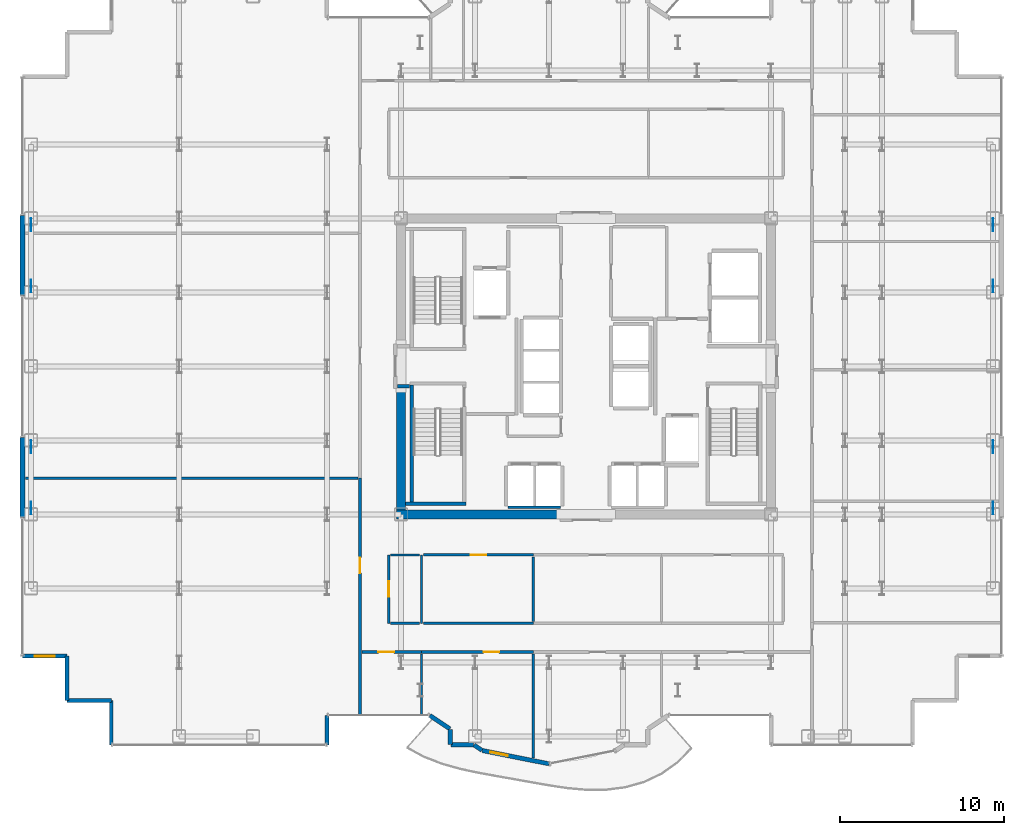
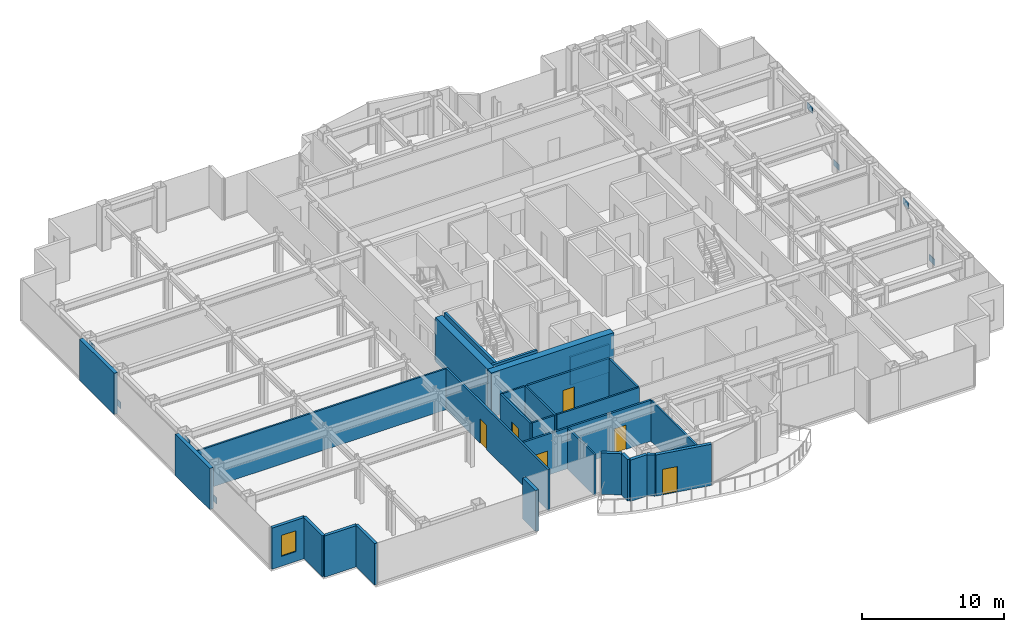
# One storey, part 18 of 25: 31 walls, 8 plates, 6 doors, 1 window, 7 openings.
"""IFC4 building model written with IfcOpenShell, lengths in metres."""

from ifc_helpers import new_model, si_unit, direction, frame, frame_2d, origin, origin_2d, place, context, subcontext, project, spatial, rectangle, extrude, source, transform, mapped, material, layer, layer_set, type_object, element, fill, save


model = new_model("IFC4")

# Units and contexts
model_context = context("Model", 3, precision=1e-05, world=origin(), true_north=direction((0.0, 1.0)))
body_context = subcontext(model_context, "Body", "Model", "MODEL_VIEW")
ifc_project = project(units=[si_unit("LENGTHUNIT", "METRE"), si_unit("AREAUNIT", "SQUARE_METRE"), si_unit("VOLUMEUNIT", "CUBIC_METRE"), si_unit("PLANEANGLEUNIT", "RADIAN"), si_unit("MASSUNIT", "GRAM", prefix="KILO")], contexts=[model_context])

# Site, building, storey
site_placement = place(None, origin())
site = spatial("IfcSite", under=ifc_project, at=site_placement, CompositionType="ELEMENT")
building_placement = place(site_placement, origin())
building = spatial("IfcBuilding", under=site, at=building_placement, Name="Nefas-Gora Pilgrimage Tower", CompositionType="ELEMENT")
storey_placement = place(building_placement, frame((0.0, 0.0, 194.39990234375)))
storey = spatial("IfcBuildingStorey", under=building, at=storey_placement, Name="L48", CompositionType="ELEMENT", Elevation=194.39990234375)

# Plates
ifc_material_1 = material(Name="Steel S460", Category="steel")
ifc_layer_1 = layer(ifc_material_1, 0.050048828125)
ifc_layer_set_1 = layer_set([ifc_layer_1], Name="Steel S460")
plate_type = type_object("IfcPlateType", Name="PLT-NODE-N08", PredefinedType="USERDEFINED", material=ifc_layer_set_1)
shared_shape_1 = source(origin(), body_context, "Body", "SweptSolid", [
    extrude(rectangle(XDim=0.780029296875, YDim=0.0380859375, at=origin_2d()), origin(), (0.0, 0.0, 1.0), 0.5400390625),
])
for number, where, z_axis, x_axis, name in (
    (1, (-33.75, -8.612060546875, 0.15771484375), (0.0, 0.0, 1.0), (0.0, 1.0, 0.0), "Structural Node Gusset Plate N08 (L48)"),
    (2, (-33.75, -4.887939453125, 2.822509765625), (0.0, 0.0, 1.0), (0.0, 1.0, 0.0), "Structural Node Gusset Plate N08 (L48)"),
    (3, (-33.75, 4.887939453125, 0.15771484375), (0.0, 0.0, 1.0), (0.0, 1.0, 0.0), "Structural Node Gusset Plate N08 (L48)"),
    (4, (-33.75, 8.612060546875, 2.822509765625), (0.0, 0.0, 1.0), (0.0, 1.0, 0.0), "Structural Node Gusset Plate N08 (L48)"),
    (5, (24.75, -8.612060546875, 0.15771484375), (0.0, 0.0, 1.0), (0.0, 1.0, 0.0), "Structural Node Gusset Plate N08 (L48)"),
    (6, (24.75, -4.887939453125, 2.822509765625), (0.0, 0.0, 1.0), (0.0, 1.0, 0.0), "Structural Node Gusset Plate N08 (L48)"),
    (7, (24.75, 4.887939453125, 0.15771484375), (0.0, 0.0, 1.0), (0.0, 1.0, 0.0), "Structural Node Gusset Plate N08 (L48)"),
    (8, (24.75, 8.612060546875, 2.822509765625), (0.0, 0.0, 1.0), (0.0, 1.0, 0.0), "Structural Node Gusset Plate N08 (L48)"),
):
    element("IfcPlate", number, at=place(storey_placement, frame(where, z_axis=z_axis, x_axis=x_axis)), inside=storey, type_object=plate_type, Name=name, ObjectType="GUSSET_PLATE", PredefinedType="USERDEFINED", context=body_context, shape_type="MappedRepresentation", body=[
        mapped(shared_shape_1, transform((0.0, 0.0, 0.0), x_axis=(1.0, 0.0, 0.0), y_axis=(0.0, 1.0, 0.0), z_axis=(0.0, 0.0, 1.0), scale=1.0)),
    ])

# Walls
ifc_material_2 = material(Name="Concrete C60/75", Category="concrete")
ifc_layer_2 = layer(ifc_material_2, 0.550048828125)
ifc_layer_set_2 = layer_set([ifc_layer_2], Name="Concrete C60/75")
wall_type_1 = type_object("IfcWallType", Name="SW-CORE-550", PredefinedType="SHEAR", material=ifc_layer_set_2)
shared_shape_2 = source(origin(), body_context, "Body", "SweptSolid", [
    extrude(rectangle(XDim=9.974853515625, YDim=0.550048828125, at=frame_2d((4.9873046875, 0.0))), origin(), (0.0, 0.0, 1.0), 3.800048828125),
])
wall_1_placement = place(storey_placement, frame((-11.52490234375, -9.0, 0.0), z_axis=(0.0, 0.0, 1.0), x_axis=(1.0, 0.0, 0.0)))
element("IfcWall", 9, at=wall_1_placement, inside=storey, type_object=wall_type_1, Name="L48 Core Shear Wall S-West", PredefinedType="SHEAR", context=body_context, shape_type="MappedRepresentation", body=[
    mapped(shared_shape_2, transform((0.0, 0.0, 0.0), x_axis=(1.0, 0.0, 0.0), y_axis=(0.0, 1.0, 0.0), z_axis=(0.0, 0.0, 1.0), scale=1.0)),
])
shared_shape_3 = source(origin(), body_context, "Body", "SweptSolid", [
    extrude(rectangle(XDim=7.375, YDim=0.550048828125, at=frame_2d((3.6875, 0.0))), origin(), (0.0, 0.0, 1.0), 3.800048828125),
])
wall_2_placement = place(storey_placement, frame((-11.25, -8.72509765625, 0.0), z_axis=(0.0, 0.0, 1.0), x_axis=(0.0, 1.0, 0.0)))
element("IfcWall", 10, at=wall_2_placement, inside=storey, type_object=wall_type_1, Name="L48 Core Shear Wall W-South", PredefinedType="SHEAR", context=body_context, shape_type="MappedRepresentation", body=[
    mapped(shared_shape_3, transform((0.0, 0.0, 0.0), x_axis=(1.0, 0.0, 0.0), y_axis=(0.0, 1.0, 0.0), z_axis=(0.0, 0.0, 1.0), scale=1.0)),
])
ifc_material_3 = material(Name="Precast concrete C45/55", Category="concrete")
ifc_layer_3 = layer(ifc_material_3, 0.239990234375)
ifc_layer_set_3 = layer_set([ifc_layer_3], Name="Precast concrete C45/55")
wall_type_2 = type_object("IfcWallType", Name="EW-SERR-240", PredefinedType="SHEAR", material=ifc_layer_set_3)
shared_shape_4 = source(origin(), body_context, "Body", "SweptSolid", [
    extrude(rectangle(XDim=4.8798828125, YDim=0.300048828125, at=frame_2d((2.43994140625, 0.0))), origin(), (0.0, 0.0, 1.0), 3.550048828125),
])
for number, where, z_axis, x_axis, name in (
    (11, (-34.27001953125, -9.18994140625, 0.0), (0.0, 0.0, 1.0), (0.0, 1.0, 0.0), "L48 Braced-Tube Precast Shear Cladding 1"),
    (12, (-34.27001953125, 4.31005859375, 0.0), (0.0, 0.0, 1.0), (0.0, 1.0, 0.0), "L48 Braced-Tube Precast Shear Cladding 2"),
):
    element("IfcWall", number, at=place(storey_placement, frame(where, z_axis=z_axis, x_axis=x_axis)), inside=storey, type_object=wall_type_2, Name=name, PredefinedType="SHEAR", context=body_context, shape_type="MappedRepresentation", body=[
        mapped(shared_shape_4, transform((0.0, 0.0, 0.0), x_axis=(1.0, 0.0, 0.0), y_axis=(0.0, 1.0, 0.0), z_axis=(0.0, 0.0, 1.0), scale=1.0)),
    ])
ifc_material_4 = material(Name="Precast concrete C40/50", Category="concrete")
ifc_layer_4 = layer(ifc_material_4, 0.260009765625)
ifc_layer_set_4 = layer_set([ifc_layer_4], Name="Precast concrete C40/50")
wall_type_3 = type_object("IfcWallType", Name="EW-PORTAL-260", PredefinedType="SOLIDWALL", material=ifc_layer_set_4)
shared_shape_5 = source(origin(), body_context, "Body", "SweptSolid", [
    extrude(rectangle(XDim=1.800048828125, YDim=0.260009765625, at=frame_2d((0.89990234375, 0.0))), origin(), (0.0, 0.0, 1.0), 3.550048828125),
])
wall_3_placement = place(storey_placement, frame((-15.75, -23.02001953125, 0.0), z_axis=(0.0, 0.0, 1.0), x_axis=(0.0, 1.0, 0.0)))
element("IfcWall", 13, at=wall_3_placement, inside=storey, type_object=wall_type_3, Name="L48 Lobe Shoulder Precast Spandrel Pier 33", PredefinedType="SOLIDWALL", context=body_context, shape_type="MappedRepresentation", body=[
    mapped(shared_shape_5, transform((0.0, 0.0, 0.0), x_axis=(1.0, 0.0, 0.0), y_axis=(0.0, 1.0, 0.0), z_axis=(0.0, 0.0, 1.0), scale=1.0)),
])

# Wall, opening, window
shared_shape_6 = source(origin(), body_context, "Body", "SweptSolid", [
    extrude(rectangle(XDim=2.699951171875, YDim=0.239990234375, at=frame_2d((1.35009765625, 0.0))), origin(), (0.0, 0.0, 1.0), 3.550048828125),
])
wall_4_placement = place(storey_placement, frame((-34.27001953125, -17.6201171875, 0.0), z_axis=(0.0, 0.0, 1.0), x_axis=(1.0, 0.0, 0.0)))
wall_4 = element("IfcWall", 14, at=wall_4_placement, inside=storey, type_object=wall_type_2, Name="L48 Serrated Corner Shear Pier Wall 29", PredefinedType="SHEAR", context=body_context, shape_type="MappedRepresentation", body=[
    mapped(shared_shape_6, transform((0.0, 0.0, 0.0), x_axis=(1.0, 0.0, 0.0), y_axis=(0.0, 1.0, 0.0), z_axis=(0.0, 0.0, 1.0), scale=1.0)),
])
opening_1_placement = place(wall_4_placement, frame((0.75, 0.0, 0.85009765625)))
opening_1 = element("IfcOpeningElement", 15, at=opening_1_placement, cuts=wall_4, Name="Opening W-V1", PredefinedType="OPENING", context=body_context, shape_type="SweptSolid", body=[
    extrude(rectangle(XDim=1.199951171875, YDim=1.800048828125, at=frame_2d((0.60009765625, 0.89990234375))), frame((0.0, 0.1298828125, 0.0), z_axis=(0.0, -1.0, 0.0), x_axis=(1.0, 0.0, 0.0)), (0.0, 0.0, 1.0), 0.260009765625),
])
ifc_material_5 = material(Name="Dark ceramic-fritted operable aluminium-glass window", Category="aluminium")
window_type = type_object("IfcWindowType", Name="WIN-VENT-1200x1800", PartitioningType="SINGLE_PANEL", PredefinedType="WINDOW", material=ifc_material_5)
shared_shape_7 = source(origin(), body_context, "Body", "SweptSolid", [
    extrude(rectangle(XDim=1.199951171875, YDim=1.800048828125, at=frame_2d((0.60009765625, 0.89990234375))), frame((0.0, 0.030029296875, 0.0), z_axis=(0.0, -1.0, 0.0), x_axis=(1.0, 0.0, 0.0)), (0.0, 0.0, 1.0), 0.06005859375),
])
window_placement = place(opening_1_placement, origin())
window = element("IfcWindow", 16, at=window_placement, inside=storey, type_object=window_type, Name="L48 Operable Parallel-Outswing Window 29", OverallHeight=1.800048828125, OverallWidth=1.199951171875, PartitioningType="SINGLE_PANEL", PredefinedType="WINDOW", context=body_context, shape_type="MappedRepresentation", body=[
    mapped(shared_shape_7, transform((0.0, 0.0, 0.0), x_axis=(1.0, 0.0, 0.0), y_axis=(0.0, 1.0, 0.0), z_axis=(0.0, 0.0, 1.0), scale=1.0)),
])
fill(opening_1, window)

# Walls
for number, where, z_axis, x_axis, name in (
    (17, (-31.570068359375, -17.6201171875, 0.0), (0.0, 0.0, 1.0), (0.0, -1.0, 0.0), "L48 Serrated Corner Shear Pier Wall 30"),
    (18, (-31.570068359375, -20.320068359375, 0.0), (0.0, 0.0, 1.0), (1.0, 0.0, 0.0), "L48 Serrated Corner Shear Pier Wall 31"),
    (19, (-28.8701171875, -20.320068359375, 0.0), (0.0, 0.0, 1.0), (0.0, -1.0, 0.0), "L48 Serrated Corner Shear Pier Wall 32"),
):
    element("IfcWall", number, at=place(storey_placement, frame(where, z_axis=z_axis, x_axis=x_axis)), inside=storey, type_object=wall_type_2, Name=name, PredefinedType="SHEAR", context=body_context, shape_type="MappedRepresentation", body=[
        mapped(shared_shape_6, transform((0.0, 0.0, 0.0), x_axis=(1.0, 0.0, 0.0), y_axis=(0.0, 1.0, 0.0), z_axis=(0.0, 0.0, 1.0), scale=1.0)),
    ])
shared_shape_8 = source(origin(), body_context, "Body", "SweptSolid", [
    extrude(rectangle(XDim=1.468994140625, YDim=0.260009765625, at=frame_2d((0.734375, 0.0))), origin(), (0.0, 0.0, 1.0), 3.550048828125),
])
wall_5_placement = place(storey_placement, frame((-9.49462890625, -21.235595703125, 0.0), z_axis=(0.0, 0.0, 1.0), x_axis=(0.831461760506, -0.555581983884, 0.0)))
element("IfcWall", 20, at=wall_5_placement, inside=storey, type_object=wall_type_3, Name="L48 Lobe Shoulder Precast Spandrel Pier 34", PredefinedType="SOLIDWALL", context=body_context, shape_type="MappedRepresentation", body=[
    mapped(shared_shape_8, transform((0.0, 0.0, 0.0), x_axis=(1.0, 0.0, 0.0), y_axis=(0.0, 1.0, 0.0), z_axis=(0.0, 0.0, 1.0), scale=1.0)),
])
shared_shape_9 = source(origin(), body_context, "Body", "SweptSolid", [
    extrude(rectangle(XDim=0.896728515625, YDim=0.260009765625, at=frame_2d((0.4482421875, 0.0))), origin(), (0.0, 0.0, 1.0), 3.550048828125),
])
wall_6_placement = place(storey_placement, frame((-8.25, -22.09521484375, 0.0), z_axis=(0.0, 0.0, 1.0), x_axis=(0.0, -1.0, 0.0)))
element("IfcWall", 21, at=wall_6_placement, inside=storey, type_object=wall_type_3, Name="L48 Lobe Shoulder Precast Spandrel Pier 35", PredefinedType="SOLIDWALL", context=body_context, shape_type="MappedRepresentation", body=[
    mapped(shared_shape_9, transform((0.0, 0.0, 0.0), x_axis=(1.0, 0.0, 0.0), y_axis=(0.0, 1.0, 0.0), z_axis=(0.0, 0.0, 1.0), scale=1.0)),
])
shared_shape_10 = source(origin(), body_context, "Body", "SweptSolid", [
    extrude(rectangle(XDim=1.369873046875, YDim=0.260009765625, at=frame_2d((0.68505859375, 0.0))), origin(), (0.0, 0.0, 1.0), 3.550048828125),
])
wall_7_placement = place(storey_placement, frame((-8.221923828125, -23.02001953125, 0.0), z_axis=(0.0, 0.0, 1.0), x_axis=(1.0, 0.0, 0.0)))
element("IfcWall", 22, at=wall_7_placement, inside=storey, type_object=wall_type_3, Name="L48 Lobe Shoulder Precast Spandrel Pier 36", PredefinedType="SOLIDWALL", context=body_context, shape_type="MappedRepresentation", body=[
    mapped(shared_shape_10, transform((0.0, 0.0, 0.0), x_axis=(1.0, 0.0, 0.0), y_axis=(0.0, 1.0, 0.0), z_axis=(0.0, 0.0, 1.0), scale=1.0)),
])
shared_shape_11 = source(origin(), body_context, "Body", "SweptSolid", [
    extrude(rectangle(XDim=0.5654296875, YDim=0.260009765625, at=frame_2d((0.28271484375, 0.0))), origin(), (0.0, 0.0, 1.0), 3.550048828125),
])
wall_8_placement = place(storey_placement, frame((-6.80078125, -23.03564453125, 0.0), z_axis=(0.0, 0.0, 1.0), x_axis=(0.831651492666, -0.555297933317, 0.0)))
element("IfcWall", 23, at=wall_8_placement, inside=storey, type_object=wall_type_3, Name="L48 Lobe Shoulder Precast Spandrel Pier 37", PredefinedType="SOLIDWALL", context=body_context, shape_type="MappedRepresentation", body=[
    mapped(shared_shape_11, transform((0.0, 0.0, 0.0), x_axis=(1.0, 0.0, 0.0), y_axis=(0.0, 1.0, 0.0), z_axis=(0.0, 0.0, 1.0), scale=1.0)),
])

# Wall, opening, door
shared_shape_12 = source(origin(), body_context, "Body", "SweptSolid", [
    extrude(rectangle(XDim=4.136962890625, YDim=0.260009765625, at=frame_2d((2.068359375, 0.0))), origin(), (0.0, 0.0, 1.0), 3.550048828125),
])
wall_9_placement = place(storey_placement, frame((-6.307373046875, -23.365234375, 0.0), z_axis=(0.0, 0.0, 1.0), x_axis=(0.980782170794, -0.195105954428, 0.0)))
wall_9 = element("IfcWall", 24, at=wall_9_placement, inside=storey, type_object=wall_type_3, Name="L48 Insulated Terrace Portal Wall 38", PredefinedType="SOLIDWALL", context=body_context, shape_type="MappedRepresentation", body=[
    mapped(shared_shape_12, transform((0.0, 0.0, 0.0), x_axis=(1.0, 0.0, 0.0), y_axis=(0.0, 1.0, 0.0), z_axis=(0.0, 0.0, 1.0), scale=1.0)),
])
opening_2_placement = place(wall_9_placement, frame((0.48779296875, 0.0, 0.0)))
opening_2 = element("IfcOpeningElement", 25, at=opening_2_placement, cuts=wall_9, Name="Opening ED-B1", PredefinedType="OPENING", context=body_context, shape_type="SweptSolid", body=[
    extrude(rectangle(XDim=1.10009765625, YDim=2.199951171875, at=frame_2d((0.550048828125, 1.10009765625))), frame((0.0, 0.139892578125, 0.0), z_axis=(0.0, -1.0, 0.0), x_axis=(1.0, 0.0, 0.0)), (0.0, 0.0, 1.0), 0.280029296875),
])
ifc_material_6 = material(Name="Thermally broken glazed aluminium balcony door", Category="aluminium")
door_type_1 = type_object("IfcDoorType", Name="DR-EXT-BAL-1100", OperationType="NOTDEFINED", PredefinedType="DOOR", material=ifc_material_6)
shared_shape_13 = source(origin(), body_context, "Body", "SweptSolid", [
    extrude(rectangle(XDim=1.10009765625, YDim=2.199951171875, at=frame_2d((0.550048828125, 1.10009765625))), frame((0.0, 0.02490234375, 0.0), z_axis=(0.0, -1.0, 0.0), x_axis=(1.0, 0.0, 0.0)), (0.0, 0.0, 1.0), 0.050048828125),
])
door_1_placement = place(opening_2_placement, origin())
door_1 = element("IfcDoor", 26, at=door_1_placement, inside=storey, type_object=door_type_1, Name="L48 Exterior Door (L48 S Lobe Wave Balcony)", OperationType="SINGLE_SWING_LEFT", OverallHeight=2.199951171875, OverallWidth=1.10009765625, PredefinedType="DOOR", context=body_context, shape_type="MappedRepresentation", body=[
    mapped(shared_shape_13, transform((0.0, 0.0, 0.0), x_axis=(1.0, 0.0, 0.0), y_axis=(0.0, 1.0, 0.0), z_axis=(0.0, 0.0, 1.0), scale=1.0)),
])
fill(opening_2, door_1)

# Walls
ifc_material_7 = material(Name="Concrete C45/55", Category="concrete")
ifc_layer_5 = layer(ifc_material_7, 0.199951171875)
ifc_layer_set_5 = layer_set([ifc_layer_5], Name="Concrete C45/55")
wall_type_4 = type_object("IfcWallType", Name="IW-STAIR-200", PredefinedType="SOLIDWALL", material=ifc_layer_set_5)
shared_shape_14 = source(origin(), body_context, "Body", "SweptSolid", [
    extrude(rectangle(XDim=7.10009765625, YDim=0.199951171875, at=frame_2d((3.550048828125, 0.0))), origin(), (0.0, 0.0, 1.0), 3.800048828125),
])
wall_10_placement = place(storey_placement, frame((-10.60009765625, -1.14990234375, 0.0), z_axis=(0.0, 0.0, 1.0), x_axis=(0.0, -1.0, 0.0)))
element("IfcWall", 27, at=wall_10_placement, inside=storey, type_object=wall_type_4, Name="L48 Stairwell Shear Wall ST-03-left", PredefinedType="SOLIDWALL", context=body_context, shape_type="MappedRepresentation", body=[
    mapped(shared_shape_14, transform((0.0, 0.0, 0.0), x_axis=(1.0, 0.0, 0.0), y_axis=(0.0, 1.0, 0.0), z_axis=(0.0, 0.0, 1.0), scale=1.0)),
])
shared_shape_15 = source(origin(), body_context, "Body", "SweptSolid", [
    extrude(rectangle(XDim=3.679931640625, YDim=0.199951171875, at=frame_2d((1.83984375, 0.0))), origin(), (0.0, 0.0, 1.0), 3.800048828125),
])
wall_11_placement = place(storey_placement, frame((-10.97998046875, -8.35009765625, 0.0), z_axis=(0.0, 0.0, 1.0), x_axis=(1.0, 0.0, 0.0)))
element("IfcWall", 28, at=wall_11_placement, inside=storey, type_object=wall_type_4, Name="L48 Stairwell Shear Wall ST-03-far", PredefinedType="SOLIDWALL", context=body_context, shape_type="MappedRepresentation", body=[
    mapped(shared_shape_15, transform((0.0, 0.0, 0.0), x_axis=(1.0, 0.0, 0.0), y_axis=(0.0, 1.0, 0.0), z_axis=(0.0, 0.0, 1.0), scale=1.0)),
])
ifc_material_8 = material(Name="Gypsum acoustic stud partition")
ifc_layer_6 = layer(ifc_material_8, 0.159912109375)
ifc_layer_set_6 = layer_set([ifc_layer_6], Name="Gypsum acoustic stud partition")
wall_type_5 = type_object("IfcWallType", Name="IW-CORR-160", PredefinedType="PARTITIONING", material=ifc_layer_set_6)
shared_shape_16 = source(origin(), body_context, "Body", "SweptSolid", [
    extrude(rectangle(XDim=3.199951171875, YDim=0.159912109375, at=frame_2d((1.60009765625, 0.0))), origin(), (0.0, 0.0, 1.0), 2.425048828125),
])
wall_12_placement = place(storey_placement, frame((-4.75, -8.580078125, 0.0), z_axis=(0.0, 0.0, 1.0), x_axis=(1.0, 0.0, 0.0)))
element("IfcWall", 29, at=wall_12_placement, inside=storey, type_object=wall_type_5, Name="L48 Hoistway Wall PL2-W-S", PredefinedType="PARTITIONING", context=body_context, shape_type="MappedRepresentation", body=[
    mapped(shared_shape_16, transform((0.0, 0.0, 0.0), x_axis=(1.0, 0.0, 0.0), y_axis=(0.0, 1.0, 0.0), z_axis=(0.0, 0.0, 1.0), scale=1.0)),
])
ifc_material_9 = material(Name="Gypsum fire-rated shaftwall")
ifc_layer_7 = layer(ifc_material_9, 0.199951171875)
ifc_layer_set_7 = layer_set([ifc_layer_7], Name="Gypsum fire-rated shaftwall")
wall_type_6 = type_object("IfcWallType", Name="IW-FFLOB-200", PredefinedType="PARTITIONING", material=ifc_layer_set_7)
shared_shape_17 = source(origin(), body_context, "Body", "SweptSolid", [
    extrude(rectangle(XDim=0.719970703125, YDim=0.199951171875, at=frame_2d((0.35986328125, 0.0))), origin(), (0.0, 0.0, 1.0), 3.53515625),
])
wall_13_placement = place(storey_placement, frame((-11.4599609375, -1.219970703125, 0.0), z_axis=(0.0, 0.0, 1.0), x_axis=(1.0, 0.0, 0.0)))
element("IfcWall", 30, at=wall_13_placement, inside=storey, type_object=wall_type_6, Name="L48 FF Lobby West Throat S Wall 8", PredefinedType="PARTITIONING", context=body_context, shape_type="MappedRepresentation", body=[
    mapped(shared_shape_17, transform((0.0, 0.0, 0.0), x_axis=(1.0, 0.0, 0.0), y_axis=(0.0, 1.0, 0.0), z_axis=(0.0, 0.0, 1.0), scale=1.0)),
])
ifc_material_10 = material(Name="Gypsum twin-stud partition")
ifc_layer_8 = layer(ifc_material_10, 0.139892578125)
ifc_layer_set_8 = layer_set([ifc_layer_8], Name="Gypsum twin-stud partition")
wall_type_7 = type_object("IfcWallType", Name="IW-UNIT-140", PredefinedType="PARTITIONING", material=ifc_layer_set_8)
shared_shape_18 = source(origin(), body_context, "Body", "SweptSolid", [
    extrude(rectangle(XDim=20.219970703125, YDim=0.139892578125, at=frame_2d((10.10986328125, 0.0))), origin(), (0.0, 0.0, 1.0), 3.53515625),
])
wall_14_placement = place(storey_placement, frame((-34.080078125, -6.804931640625, 0.0), z_axis=(0.0, 0.0, 1.0), x_axis=(1.0, 0.0, 0.0)))
element("IfcWall", 31, at=wall_14_placement, inside=storey, type_object=wall_type_7, Name="L48 Pilgrim Devotional Prayer Gallery Partition Wall 29", PredefinedType="PARTITIONING", context=body_context, shape_type="MappedRepresentation", body=[
    mapped(shared_shape_18, transform((0.0, 0.0, 0.0), x_axis=(1.0, 0.0, 0.0), y_axis=(0.0, 1.0, 0.0), z_axis=(0.0, 0.0, 1.0), scale=1.0)),
])

# Wall, opening, door
shared_shape_19 = source(origin(), body_context, "Body", "SweptSolid", [
    extrude(rectangle(XDim=3.625, YDim=0.159912109375, at=frame_2d((1.8125, 0.0))), origin(), (0.0, 0.0, 1.0), 3.53515625),
])
wall_15_placement = place(storey_placement, frame((-13.6201171875, -17.3701171875, 0.0), z_axis=(0.0, 0.0, 1.0), x_axis=(1.0, 0.0, 0.0)))
wall_15 = element("IfcWall", 32, at=wall_15_placement, inside=storey, type_object=wall_type_5, Name="L48 Pilgrim Contemplative Lounge Partition Wall 55", PredefinedType="PARTITIONING", context=body_context, shape_type="MappedRepresentation", body=[
    mapped(shared_shape_19, transform((0.0, 0.0, 0.0), x_axis=(1.0, 0.0, 0.0), y_axis=(0.0, 1.0, 0.0), z_axis=(0.0, 0.0, 1.0), scale=1.0)),
])
opening_3_placement = place(wall_15_placement, frame((0.9990234375, 0.0, 0.0)))
opening_3 = element("IfcOpeningElement", 33, at=opening_3_placement, cuts=wall_15, Name="Opening ID-GR1", PredefinedType="OPENING", context=body_context, shape_type="SweptSolid", body=[
    extrude(rectangle(XDim=0.949951171875, YDim=2.10009765625, at=frame_2d((0.47509765625, 1.050048828125))), frame((0.0, 0.08984375, 0.0), z_axis=(0.0, -1.0, 0.0), x_axis=(1.0, 0.0, 0.0)), (0.0, 0.0, 1.0), 0.179931640625),
])
ifc_material_11 = material(Name="Solid core oak fire-rated guest entrance door")
door_type_2 = type_object("IfcDoorType", Name="DR-INT-GUEST-950", OperationType="NOTDEFINED", PredefinedType="DOOR", material=ifc_material_11)
shared_shape_20 = source(origin(), body_context, "Body", "SweptSolid", [
    extrude(rectangle(XDim=0.949951171875, YDim=2.10009765625, at=frame_2d((0.47509765625, 1.050048828125))), frame((0.0, 0.02490234375, 0.0), z_axis=(0.0, -1.0, 0.0), x_axis=(1.0, 0.0, 0.0)), (0.0, 0.0, 1.0), 0.050048828125),
])
door_2_placement = place(opening_3_placement, origin())
door_2 = element("IfcDoor", 34, at=door_2_placement, inside=storey, type_object=door_type_2, Name="L48 Pilgrim Contemplative Lounge Door 25", OperationType="SINGLE_SWING_RIGHT", OverallHeight=2.10009765625, OverallWidth=0.949951171875, PredefinedType="DOOR", context=body_context, shape_type="MappedRepresentation", body=[
    mapped(shared_shape_20, transform((0.0, 0.0, 0.0), x_axis=(1.0, 0.0, 0.0), y_axis=(0.0, 1.0, 0.0), z_axis=(0.0, 0.0, 1.0), scale=1.0)),
])
fill(opening_3, door_2)

# Walls
shared_shape_21 = source(origin(), body_context, "Body", "SweptSolid", [
    extrude(rectangle(XDim=3.929931640625, YDim=0.139892578125, at=frame_2d((1.96484375, 0.0))), origin(), (0.0, 0.0, 1.0), 3.53515625),
])
wall_16_placement = place(storey_placement, frame((-3.205078125, -15.52001953125, 0.0), z_axis=(0.0, 0.0, 1.0), x_axis=(0.0, 1.0, 0.0)))
element("IfcWall", 35, at=wall_16_placement, inside=storey, type_object=wall_type_7, Name="L48 Scripture Reading Study Partition Wall 65", PredefinedType="PARTITIONING", context=body_context, shape_type="MappedRepresentation", body=[
    mapped(shared_shape_21, transform((0.0, 0.0, 0.0), x_axis=(1.0, 0.0, 0.0), y_axis=(0.0, 1.0, 0.0), z_axis=(0.0, 0.0, 1.0), scale=1.0)),
])
shared_shape_22 = source(origin(), body_context, "Body", "SweptSolid", [
    extrude(rectangle(XDim=3.75, YDim=0.139892578125, at=frame_2d((1.875, 0.0))), origin(), (0.0, 0.0, 1.0), 3.53515625),
])
wall_17_placement = place(storey_placement, frame((-10.0048828125, -21.239990234375, 0.0), z_axis=(0.0, 0.0, 1.0), x_axis=(0.0, 1.0, 0.0)))
element("IfcWall", 36, at=wall_17_placement, inside=storey, type_object=wall_type_7, Name="L48 Pilgrim Contemplative Lounge Partition Wall 56", PredefinedType="PARTITIONING", context=body_context, shape_type="MappedRepresentation", body=[
    mapped(shared_shape_22, transform((0.0, 0.0, 0.0), x_axis=(1.0, 0.0, 0.0), y_axis=(0.0, 1.0, 0.0), z_axis=(0.0, 0.0, 1.0), scale=1.0)),
])
shared_shape_23 = source(origin(), body_context, "Body", "SweptSolid", [
    extrude(rectangle(XDim=4.179931640625, YDim=0.139892578125, at=frame_2d((2.08984375, 0.0))), origin(), (0.0, 0.0, 1.0), 3.53515625),
])
wall_18_placement = place(storey_placement, frame((-10.0048828125, -15.639892578125, 0.0), z_axis=(0.0, 0.0, 1.0), x_axis=(0.0, 1.0, 0.0)))
element("IfcWall", 37, at=wall_18_placement, inside=storey, type_object=wall_type_7, Name="L48 Pilgrim Contemplative Lounge Partition Wall 58", PredefinedType="PARTITIONING", context=body_context, shape_type="MappedRepresentation", body=[
    mapped(shared_shape_23, transform((0.0, 0.0, 0.0), x_axis=(1.0, 0.0, 0.0), y_axis=(0.0, 1.0, 0.0), z_axis=(0.0, 0.0, 1.0), scale=1.0)),
])

# Wall, opening, door
shared_shape_24 = source(origin(), body_context, "Body", "SweptSolid", [
    extrude(rectangle(XDim=4.179931640625, YDim=0.159912109375, at=frame_2d((2.08984375, 0.0))), origin(), (0.0, 0.0, 1.0), 3.53515625),
])
wall_19_placement = place(storey_placement, frame((-12.0, -15.639892578125, 0.0), z_axis=(0.0, 0.0, 1.0), x_axis=(0.0, 1.0, 0.0)))
wall_19 = element("IfcWall", 38, at=wall_19_placement, inside=storey, type_object=wall_type_5, Name="L48 Pilgrim Contemplative Lounge Partition Wall 57", PredefinedType="PARTITIONING", context=body_context, shape_type="MappedRepresentation", body=[
    mapped(shared_shape_24, transform((0.0, 0.0, 0.0), x_axis=(1.0, 0.0, 0.0), y_axis=(0.0, 1.0, 0.0), z_axis=(0.0, 0.0, 1.0), scale=1.0)),
])
opening_4_placement = place(wall_19_placement, frame((1.614990234375, 0.0, 0.0)))
opening_4 = element("IfcOpeningElement", 39, at=opening_4_placement, cuts=wall_19, Name="Opening ID-GR1", PredefinedType="OPENING", context=body_context, shape_type="SweptSolid", body=[
    extrude(rectangle(XDim=0.949951171875, YDim=2.10009765625, at=frame_2d((0.47509765625, 1.050048828125))), frame((0.0, 0.08984375, 0.0), z_axis=(0.0, -1.0, 0.0), x_axis=(1.0, 0.0, 0.0)), (0.0, 0.0, 1.0), 0.179931640625),
])
door_3_placement = place(opening_4_placement, origin())
door_3 = element("IfcDoor", 40, at=door_3_placement, inside=storey, type_object=door_type_2, Name="L48 Pilgrim Contemplative Lounge Door 26", OperationType="SINGLE_SWING_LEFT", OverallHeight=2.10009765625, OverallWidth=0.949951171875, PredefinedType="DOOR", context=body_context, shape_type="MappedRepresentation", body=[
    mapped(shared_shape_20, transform((0.0, 0.0, 0.0), x_axis=(1.0, 0.0, 0.0), y_axis=(0.0, 1.0, 0.0), z_axis=(0.0, 0.0, 1.0), scale=1.0)),
])
fill(opening_4, door_3)

shared_shape_25 = source(origin(), body_context, "Body", "SweptSolid", [
    extrude(rectangle(XDim=14.445068359375, YDim=0.159912109375, at=frame_2d((7.22265625, 0.0))), origin(), (0.0, 0.0, 1.0), 3.53515625),
])
wall_20_placement = place(storey_placement, frame((-13.739990234375, -21.239990234375, 0.0), z_axis=(0.0, 0.0, 1.0), x_axis=(0.0, 1.0, 0.0)))
wall_20 = element("IfcWall", 41, at=wall_20_placement, inside=storey, type_object=wall_type_5, Name="L48 Pilgrim Devotional Prayer Gallery Partition Wall 28", PredefinedType="PARTITIONING", context=body_context, shape_type="MappedRepresentation", body=[
    mapped(shared_shape_25, transform((0.0, 0.0, 0.0), x_axis=(1.0, 0.0, 0.0), y_axis=(0.0, 1.0, 0.0), z_axis=(0.0, 0.0, 1.0), scale=1.0)),
])
opening_5_placement = place(wall_20_placement, frame((8.66259765625, 0.0, 0.0)))
opening_5 = element("IfcOpeningElement", 42, at=opening_5_placement, cuts=wall_20, Name="Opening ID-GR1", PredefinedType="OPENING", context=body_context, shape_type="SweptSolid", body=[
    extrude(rectangle(XDim=0.949951171875, YDim=2.10009765625, at=frame_2d((0.47509765625, 1.050048828125))), frame((0.0, 0.08984375, 0.0), z_axis=(0.0, -1.0, 0.0), x_axis=(1.0, 0.0, 0.0)), (0.0, 0.0, 1.0), 0.179931640625),
])
door_4_placement = place(opening_5_placement, origin())
door_4 = element("IfcDoor", 43, at=door_4_placement, inside=storey, type_object=door_type_2, Name="L48 Pilgrim Devotional Prayer Gallery Door 11", OperationType="SINGLE_SWING_RIGHT", OverallHeight=2.10009765625, OverallWidth=0.949951171875, PredefinedType="DOOR", context=body_context, shape_type="MappedRepresentation", body=[
    mapped(shared_shape_20, transform((0.0, 0.0, 0.0), x_axis=(1.0, 0.0, 0.0), y_axis=(0.0, 1.0, 0.0), z_axis=(0.0, 0.0, 1.0), scale=1.0)),
])
fill(opening_5, door_4)

# Walls
shared_shape_26 = source(origin(), body_context, "Body", "SweptSolid", [
    extrude(rectangle(XDim=1.764892578125, YDim=0.139892578125, at=frame_2d((0.88232421875, 0.0))), origin(), (0.0, 0.0, 1.0), 3.53515625),
])
for number, where, z_axis, x_axis, name in (
    (44, (-11.8798828125, -11.469970703125, 0.0), (0.0, 0.0, 1.0), (1.0, 0.0, 0.0), "L48 Pilgrim Contemplative Lounge Partition Wall 59"),
    (45, (-11.8798828125, -15.6298828125, 0.0), (0.0, 0.0, 1.0), (1.0, 0.0, 0.0), "L48 Pilgrim Contemplative Lounge Partition Wall 60"),
):
    element("IfcWall", number, at=place(storey_placement, frame(where, z_axis=z_axis, x_axis=x_axis)), inside=storey, type_object=wall_type_7, Name=name, PredefinedType="PARTITIONING", context=body_context, shape_type="MappedRepresentation", body=[
        mapped(shared_shape_26, transform((0.0, 0.0, 0.0), x_axis=(1.0, 0.0, 0.0), y_axis=(0.0, 1.0, 0.0), z_axis=(0.0, 0.0, 1.0), scale=1.0)),
    ])

# Wall, opening, door
shared_shape_27 = source(origin(), body_context, "Body", "SweptSolid", [
    extrude(rectangle(XDim=6.809814453125, YDim=0.159912109375, at=frame_2d((3.40478515625, 0.0))), origin(), (0.0, 0.0, 1.0), 3.53515625),
])
wall_21_placement = place(storey_placement, frame((-10.0048828125, -17.3701171875, 0.0), z_axis=(0.0, 0.0, 1.0), x_axis=(1.0, 0.0, 0.0)))
wall_21 = element("IfcWall", 46, at=wall_21_placement, inside=storey, type_object=wall_type_5, Name="L48 Pilgrim Contemplative Lounge Partition Wall 61", PredefinedType="PARTITIONING", context=body_context, shape_type="MappedRepresentation", body=[
    mapped(shared_shape_27, transform((0.0, 0.0, 0.0), x_axis=(1.0, 0.0, 0.0), y_axis=(0.0, 1.0, 0.0), z_axis=(0.0, 0.0, 1.0), scale=1.0)),
])
opening_6_placement = place(wall_21_placement, frame((3.778076171875, 0.0, 0.0)))
opening_6 = element("IfcOpeningElement", 47, at=opening_6_placement, cuts=wall_21, Name="Opening ID-GR1", PredefinedType="OPENING", context=body_context, shape_type="SweptSolid", body=[
    extrude(rectangle(XDim=0.949951171875, YDim=2.10009765625, at=frame_2d((0.47509765625, 1.050048828125))), frame((0.0, 0.08984375, 0.0), z_axis=(0.0, -1.0, 0.0), x_axis=(1.0, 0.0, 0.0)), (0.0, 0.0, 1.0), 0.179931640625),
])
door_5_placement = place(opening_6_placement, origin())
door_5 = element("IfcDoor", 48, at=door_5_placement, inside=storey, type_object=door_type_2, Name="L48 Pilgrim Contemplative Lounge Door 27", OperationType="SINGLE_SWING_RIGHT", OverallHeight=2.10009765625, OverallWidth=0.949951171875, PredefinedType="DOOR", context=body_context, shape_type="MappedRepresentation", body=[
    mapped(shared_shape_20, transform((0.0, 0.0, 0.0), x_axis=(1.0, 0.0, 0.0), y_axis=(0.0, 1.0, 0.0), z_axis=(0.0, 0.0, 1.0), scale=1.0)),
])
fill(opening_6, door_5)

# Wall
shared_shape_28 = source(origin(), body_context, "Body", "SweptSolid", [
    extrude(rectangle(XDim=6.3193359375, YDim=0.139892578125, at=frame_2d((3.15966796875, 0.0))), origin(), (0.0, 0.0, 1.0), 3.53515625),
])
wall_22_placement = place(storey_placement, frame((-3.205078125, -23.809326171875, 0.0), z_axis=(0.0, 0.0, 1.0), x_axis=(0.0, 1.0, 0.0)))
element("IfcWall", 49, at=wall_22_placement, inside=storey, type_object=wall_type_7, Name="L48 Pilgrim Contemplative Lounge Partition Wall 62", PredefinedType="PARTITIONING", context=body_context, shape_type="MappedRepresentation", body=[
    mapped(shared_shape_28, transform((0.0, 0.0, 0.0), x_axis=(1.0, 0.0, 0.0), y_axis=(0.0, 1.0, 0.0), z_axis=(0.0, 0.0, 1.0), scale=1.0)),
])

# Wall, opening, door
shared_shape_29 = source(origin(), body_context, "Body", "SweptSolid", [
    extrude(rectangle(XDim=6.699951171875, YDim=0.159912109375, at=frame_2d((3.35009765625, 0.0))), origin(), (0.0, 0.0, 1.0), 3.53515625),
])
wall_23_placement = place(storey_placement, frame((-9.89501953125, -11.469970703125, 0.0), z_axis=(0.0, 0.0, 1.0), x_axis=(1.0, 0.0, 0.0)))
wall_23 = element("IfcWall", 50, at=wall_23_placement, inside=storey, type_object=wall_type_5, Name="L48 Scripture Reading Study Partition Wall 63", PredefinedType="PARTITIONING", context=body_context, shape_type="MappedRepresentation", body=[
    mapped(shared_shape_29, transform((0.0, 0.0, 0.0), x_axis=(1.0, 0.0, 0.0), y_axis=(0.0, 1.0, 0.0), z_axis=(0.0, 0.0, 1.0), scale=1.0)),
])
opening_7_placement = place(wall_23_placement, frame((2.875, 0.0, 0.0)))
opening_7 = element("IfcOpeningElement", 51, at=opening_7_placement, cuts=wall_23, Name="Opening ID-GR1", PredefinedType="OPENING", context=body_context, shape_type="SweptSolid", body=[
    extrude(rectangle(XDim=0.949951171875, YDim=2.10009765625, at=frame_2d((0.47509765625, 1.050048828125))), frame((0.0, 0.08984375, 0.0), z_axis=(0.0, -1.0, 0.0), x_axis=(1.0, 0.0, 0.0)), (0.0, 0.0, 1.0), 0.179931640625),
])
door_6_placement = place(opening_7_placement, origin())
door_6 = element("IfcDoor", 52, at=door_6_placement, inside=storey, type_object=door_type_2, Name="L48 Scripture Reading Study Door 28", OperationType="SINGLE_SWING_LEFT", OverallHeight=2.10009765625, OverallWidth=0.949951171875, PredefinedType="DOOR", context=body_context, shape_type="MappedRepresentation", body=[
    mapped(shared_shape_20, transform((0.0, 0.0, 0.0), x_axis=(1.0, 0.0, 0.0), y_axis=(0.0, 1.0, 0.0), z_axis=(0.0, 0.0, 1.0), scale=1.0)),
])
fill(opening_7, door_6)

# Wall
shared_shape_30 = source(origin(), body_context, "Body", "SweptSolid", [
    extrude(rectangle(XDim=6.699951171875, YDim=0.139892578125, at=frame_2d((3.35009765625, 0.0))), origin(), (0.0, 0.0, 1.0), 3.53515625),
])
wall_24_placement = place(storey_placement, frame((-9.89501953125, -15.6298828125, 0.0), z_axis=(0.0, 0.0, 1.0), x_axis=(1.0, 0.0, 0.0)))
element("IfcWall", 53, at=wall_24_placement, inside=storey, type_object=wall_type_7, Name="L48 Scripture Reading Study Partition Wall 64", PredefinedType="PARTITIONING", context=body_context, shape_type="MappedRepresentation", body=[
    mapped(shared_shape_30, transform((0.0, 0.0, 0.0), x_axis=(1.0, 0.0, 0.0), y_axis=(0.0, 1.0, 0.0), z_axis=(0.0, 0.0, 1.0), scale=1.0)),
])

save(model, "model.ifc")
